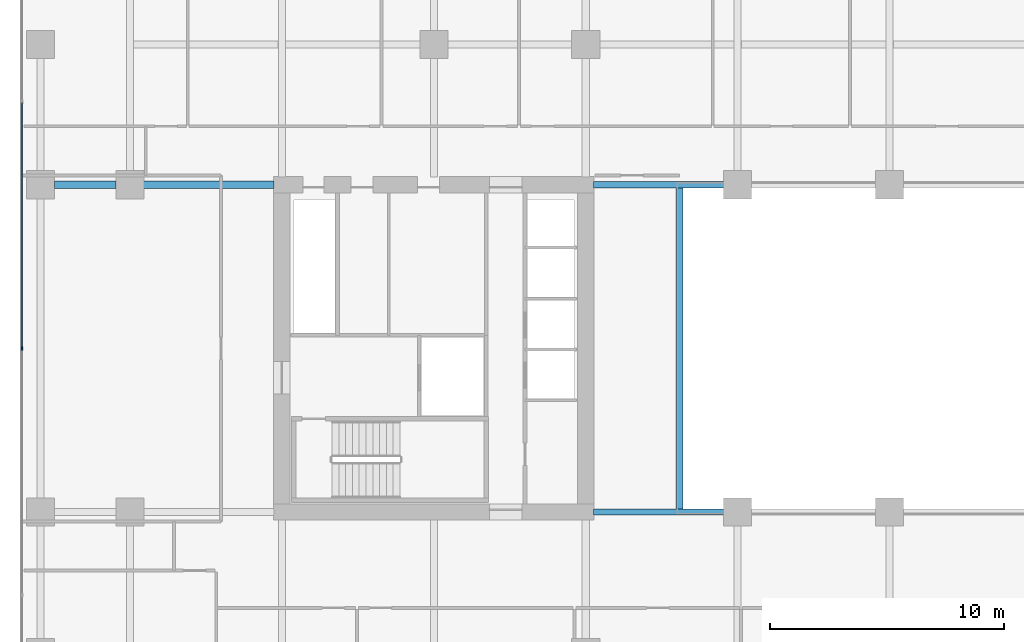
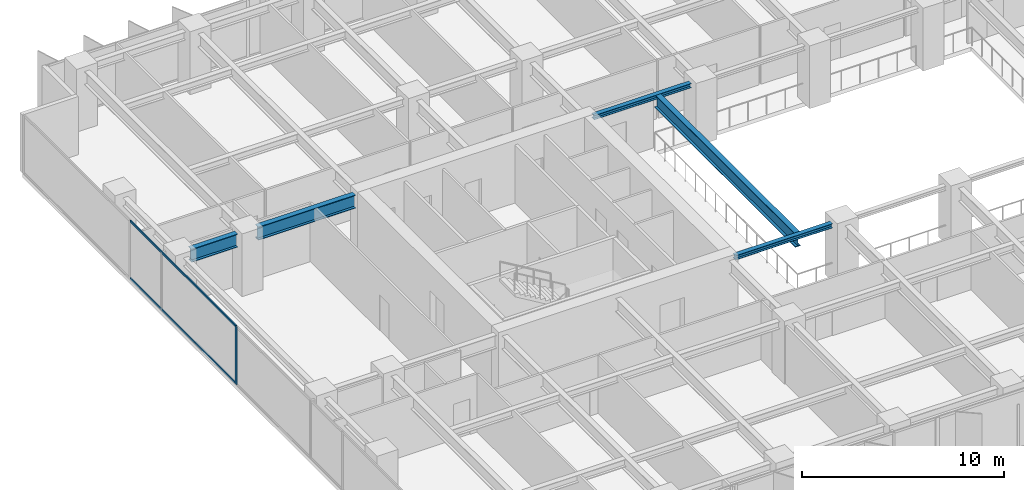
# One storey, part 4 of 20: 5 beams, 3 members, 1 element without a shape of its own.
"""IFC4 building model written with IfcOpenShell, lengths in metres."""

import ifcopenshell
import ifcopenshell.guid

model = None  # the IFC model being written
_history = None  # IfcOwnerHistory: only IFC2X3 demands one
_inside = {}  # id of a spatial element -> (the spatial element, [elements in it])
_under = {}  # id of a project, library or spatial element -> (it, [spatial elements below it])
_declared = {}  # id of a project -> (the project, [libraries it declares])
_typed = {}  # id of a type object -> (the type object, [elements of that type])
_made_of = {}  # id of a material, layer set ... -> (it, [elements and type objects made of it])


def new_model(schema):
    """Start an empty IFC model of exactly this schema.

    Asked for "IFC4X3", IfcOpenShell would pick the latest addendum, in which some entities
    have other attributes; the version numbers below select the first issue.
    IFC2X3 requires an IfcOwnerHistory on every rooted entity: one is made here for all.
    """
    global model, _history
    if schema == "IFC4X3":
        model = ifcopenshell.file(schema_version=(4, 3, 0, 0))
    else:
        model = ifcopenshell.file(schema=schema)
    _inside.clear()
    _under.clear()
    _declared.clear()
    _typed.clear()
    _made_of.clear()
    _history = None
    if model.schema == "IFC2X3":
        org = make("IfcOrganization", Name="unknown")
        user = make(
            "IfcPersonAndOrganization",
            ThePerson=make("IfcPerson", FamilyName="unknown"),
            TheOrganization=org,
        )
        app = make(
            "IfcApplication",
            ApplicationDeveloper=org,
            Version="unknown",
            ApplicationFullName="unknown",
            ApplicationIdentifier="unknown",
        )
        _history = make(
            "IfcOwnerHistory",
            OwningUser=user,
            OwningApplication=app,
            ChangeAction="ADDED",
            CreationDate=0,
        )
    return model


def make(cls, **values):
    """One entity of the class cls with the attributes given. An attribute that is None is left unset."""
    return model.create_entity(
        cls, **{name: value for name, value in values.items() if value is not None}
    )


def rooted(cls, **values):
    """An entity with a GlobalId (a new one), such as an element, a storey or a relation."""
    return make(cls, GlobalId=ifcopenshell.guid.new(), OwnerHistory=_history, **values)


def si_unit(unit_type, name, prefix=None):
    """IfcSIUnit, for example si_unit("LENGTHUNIT", "METRE", prefix="MILLI")."""
    return make("IfcSIUnit", UnitType=unit_type, Prefix=prefix, Name=name)


def assignment(units):
    """IfcUnitAssignment: the units of a project."""
    return None if units is None else make("IfcUnitAssignment", Units=units)


def point(xyz):
    """IfcCartesianPoint."""
    return None if xyz is None else make("IfcCartesianPoint", Coordinates=xyz)


def direction(xyz):
    """IfcDirection."""
    return None if xyz is None else make("IfcDirection", DirectionRatios=xyz)


def frame(location, z_axis=None, x_axis=None):
    """IfcAxis2Placement3D, a coordinate frame: its origin and axes. An axis left out is left unset."""
    return make(
        "IfcAxis2Placement3D",
        Location=point(location),
        Axis=direction(z_axis),
        RefDirection=direction(x_axis),
    )


def frame_2d(location, x_axis=None):
    """IfcAxis2Placement2D, a coordinate frame in the plane: its origin and x axis."""
    return make(
        "IfcAxis2Placement2D", Location=point(location), RefDirection=direction(x_axis)
    )


def origin():
    """The frame at (0, 0, 0) with its axes left unset."""
    return frame((0.0, 0.0, 0.0))


def origin_2d():
    """The frame at (0, 0) in the plane with its x axis left unset."""
    return frame_2d((0.0, 0.0))


def place(relative_to, where):
    """IfcLocalPlacement: puts the frame where relative to a parent placement (None: the world)."""
    return make(
        "IfcLocalPlacement", PlacementRelTo=relative_to, RelativePlacement=where
    )


def context(
    kind, dimensions, precision=None, world=None, true_north=None, identifier=None
):
    """IfcGeometricRepresentationContext, for example the 3D "Model" context."""
    return make(
        "IfcGeometricRepresentationContext",
        ContextIdentifier=identifier,
        ContextType=kind,
        CoordinateSpaceDimension=dimensions,
        Precision=precision,
        WorldCoordinateSystem=world,
        TrueNorth=true_north,
    )


def subcontext(parent, identifier, kind, view, scale=None):
    """IfcGeometricRepresentationSubContext, for example "Body" below "Model"."""
    return make(
        "IfcGeometricRepresentationSubContext",
        ContextIdentifier=identifier,
        ContextType=kind,
        ParentContext=parent,
        TargetScale=scale,
        TargetView=view,
    )


def project(units=None, contexts=None):
    """IfcProject with its units and contexts."""
    return rooted(
        "IfcProject",
        Name="project",
        RepresentationContexts=contexts,
        UnitsInContext=assignment(units),
    )


def spatial(cls, under=None, at=None, **own):
    """A site, building, storey or space (cls), placed at a placement, below another one or the project."""
    s = rooted(cls, ObjectPlacement=at, **own)
    if under is not None:
        _under.setdefault(under.id(), (under, []))[1].append(s)
    return s


def profile(cls, at=None, kind="AREA", **sizes):
    """A parametric profile (cls). Its sizes go by their IFC names, for example OverallWidth=200.0."""
    return make(cls, ProfileType=kind, Position=at, **sizes)


def rectangle(**sizes):
    """IfcRectangleProfileDef."""
    return profile("IfcRectangleProfileDef", **sizes)


def i_section(**sizes):
    """IfcIShapeProfileDef."""
    return profile("IfcIShapeProfileDef", **sizes)


def extrude(swept, where, along, depth):
    """IfcExtrudedAreaSolid: the profile swept, set in the frame where, extruded along a direction by depth."""
    return make(
        "IfcExtrudedAreaSolid",
        SweptArea=swept,
        Position=where,
        ExtrudedDirection=direction(along),
        Depth=depth,
    )


def shape(context_of_items, identifier, shape_type, items):
    """IfcShapeRepresentation: the items that make up one representation, for example the "Body"."""
    return make(
        "IfcShapeRepresentation",
        ContextOfItems=context_of_items,
        RepresentationIdentifier=identifier,
        RepresentationType=shape_type,
        Items=items,
    )


def material(Name=None, Category=None):
    """IfcMaterial."""
    return make("IfcMaterial", Name=Name, Category=Category)


def layer(
    of_material, thickness, ventilated=None, Name=None, Category=None, Priority=None
):
    """IfcMaterialLayer: one layer of a wall or slab, of a material (None: an air gap)."""
    return make(
        "IfcMaterialLayer",
        Material=of_material,
        LayerThickness=thickness,
        IsVentilated=ventilated,
        Name=Name,
        Category=Category,
        Priority=Priority,
    )


def layer_set(layers, Name=None):
    """IfcMaterialLayerSet."""
    return make("IfcMaterialLayerSet", MaterialLayers=layers, LayerSetName=Name)


def material_profile(
    of_material, cross_section, Name=None, Category=None, Priority=None
):
    """IfcMaterialProfile: a cross section and its material."""
    return make(
        "IfcMaterialProfile",
        Name=Name,
        Material=of_material,
        Profile=cross_section,
        Priority=Priority,
        Category=Category,
    )


def profile_set(profiles, Name=None, composite=None):
    """IfcMaterialProfileSet."""
    return make(
        "IfcMaterialProfileSet",
        Name=Name,
        MaterialProfiles=profiles,
        CompositeProfile=composite,
    )


def made_of(thing, what):
    """Note that an element or type object is made of a material, layer set ...; save() writes the relation."""
    if what is not None:
        _made_of.setdefault(what.id(), (what, []))[1].append(thing)
    return thing


def type_object(cls, material=None, **own):
    """A type object (cls), such as IfcWallType, which elements share."""
    return made_of(rooted(cls, **own), material)


def element(
    cls,
    number,
    at=None,
    inside=None,
    cuts=None,
    type_object=None,
    material=None,
    context=None,
    identifier="Body",
    shape_type=None,
    held_by="IfcProductDefinitionShape",
    body=None,
    shapes=None,
    **own,
):
    """One element of the class cls, such as IfcWall. Its Tag is "e" and its number.

    at: its placement. inside: the storey or other place that contains it. cuts: it is an
    opening in that element (IfcRelVoidsElement). A single representation is given by context,
    identifier, shape_type and body (its items); several are given by shapes. held_by: the class
    of the entity that holds the representations. save() writes the other relations.
    """
    e = rooted(cls, Tag="e%d" % number, ObjectPlacement=at, **own)
    if body is not None:
        shapes = [shape(context, identifier, shape_type, body)]
    if shapes is not None:
        e.Representation = make(held_by, Representations=shapes)
    if inside is not None:
        _inside.setdefault(inside.id(), (inside, []))[1].append(e)
    if cuts is not None:
        rooted(
            "IfcRelVoidsElement", RelatingBuildingElement=cuts, RelatedOpeningElement=e
        )
    if type_object is not None:
        _typed.setdefault(type_object.id(), (type_object, []))[1].append(e)
    return made_of(e, material)


def aggregate(whole, parts):
    """IfcRelAggregates: a whole, such as a stair, and the parts it consists of."""
    return rooted("IfcRelAggregates", RelatingObject=whole, RelatedObjects=parts)


def save(model, path):
    """Write the relations noted so far, then the file.

    IfcRelAggregates (storeys below a building ...), IfcRelContainedInSpatialStructure (elements
    in a storey), IfcRelDefinesByType, IfcRelAssociatesMaterial and IfcRelDeclares: one each for
    every whole, place, type object, material and project.
    """
    for whole, parts in _under.values():
        aggregate(whole, parts)
    for where, things in _inside.values():
        rooted(
            "IfcRelContainedInSpatialStructure",
            RelatedElements=things,
            RelatingStructure=where,
        )
    for kind, things in _typed.values():
        rooted("IfcRelDefinesByType", RelatedObjects=things, RelatingType=kind)
    for what, things in _made_of.values():
        rooted("IfcRelAssociatesMaterial", RelatedObjects=things, RelatingMaterial=what)
    for by, libraries in _declared.values():
        rooted("IfcRelDeclares", RelatingContext=by, RelatedDefinitions=libraries)
    model.write(path)


model = new_model("IFC4")

# Units and contexts
model_context = context("Model", 3, precision=1e-05, world=origin(), true_north=direction((0.0, 1.0)))
body_context = subcontext(model_context, "Body", "Model", "MODEL_VIEW")
ifc_project = project(units=[si_unit("LENGTHUNIT", "METRE"), si_unit("AREAUNIT", "SQUARE_METRE"), si_unit("VOLUMEUNIT", "CUBIC_METRE"), si_unit("PLANEANGLEUNIT", "RADIAN"), si_unit("MASSUNIT", "GRAM", prefix="KILO")], contexts=[model_context])

# Site, building, storey
site_placement = place(None, origin())
site = spatial("IfcSite", under=ifc_project, at=site_placement, CompositionType="ELEMENT")
building_placement = place(site_placement, origin())
building = spatial("IfcBuilding", under=site, at=building_placement, Name="Putna Gate Headquarters", CompositionType="ELEMENT")
storey_placement = place(building_placement, frame((0.0, 0.0, 135.39990234375)))
storey = spatial("IfcBuildingStorey", under=building, at=storey_placement, Name="L33", CompositionType="ELEMENT", Elevation=135.39990234375)

# Beams
ifc_material_1 = material(Name="Steel S355J2", Category="steel")
ifc_material_profile_1 = material_profile(ifc_material_1, i_section(OverallWidth=0.260009765625, OverallDepth=0.260009765625, WebThickness=0.010009765625, FlangeThickness=0.017578125, at=origin_2d()), Name="Steel S355J2")
ifc_profile_set_1 = profile_set([ifc_material_profile_1], Name="Steel S355J2")
beam_type_1 = type_object("IfcBeamType", Name="BM-ATRIUM-HEB260", PredefinedType="BEAM", material=ifc_profile_set_1)
for number, where, z_axis, x_axis, name in (
    (1, (26.3349609375, 19.0, 3.39013671875), (1.0, 0.0, 0.0), (0.0, 1.0, 0.0), "L33 Atrium Edge Beam AS1"),
    (2, (26.3349609375, 33.0, 3.39013671875), (1.0, 0.0, 0.0), (0.0, 1.0, 0.0), "L33 Atrium Edge Beam AN1"),
):
    element("IfcBeam", number, at=place(storey_placement, frame(where, z_axis=z_axis, x_axis=x_axis)), inside=storey, type_object=beam_type_1, Name=name, PredefinedType="BEAM", context=body_context, shape_type="SweptSolid", body=[
        extrude(i_section(OverallWidth=0.260009765625, OverallDepth=0.260009765625, WebThickness=0.010009765625, FlangeThickness=0.017578125, at=origin_2d()), origin(), (0.0, 0.0, 1.0), 5.5771484375),
    ])
ifc_material_profile_2 = material_profile(ifc_material_1, i_section(OverallWidth=0.300048828125, OverallDepth=0.800048828125, WebThickness=0.017578125, FlangeThickness=0.032958984375, at=origin_2d()), Name="Steel S355J2")
ifc_profile_set_2 = profile_set([ifc_material_profile_2], Name="Steel S355J2")
beam_type_2 = type_object("IfcBeamType", Name="BM-GIRD-P-HEB800", PredefinedType="USERDEFINED", material=ifc_profile_set_2)
beam_1_placement = place(storey_placement, frame((3.26806640625, 33.0, 3.1201171875), z_axis=(1.0, 0.0, 0.0), x_axis=(0.0, 1.0, 0.0)))
element("IfcBeam", 3, at=beam_1_placement, inside=storey, type_object=beam_type_2, Name="L33 West Wing Girder Y33-1", ObjectType="GIRDER", PredefinedType="USERDEFINED", context=body_context, shape_type="SweptSolid", body=[
    extrude(i_section(OverallWidth=0.300048828125, OverallDepth=0.800048828125, WebThickness=0.017578125, FlangeThickness=0.032958984375, at=origin_2d()), origin(), (0.0, 0.0, 1.0), 2.64404296875),
])
beam_2_placement = place(storey_placement, frame((7.087890625, 33.0, 3.1201171875), z_axis=(1.0, 0.0, 0.0), x_axis=(0.0, 1.0, 0.0)))
element("IfcBeam", 4, at=beam_2_placement, inside=storey, type_object=beam_type_2, Name="L33 West Wing Girder Y33-2", ObjectType="GIRDER", PredefinedType="USERDEFINED", context=body_context, shape_type="SweptSolid", body=[
    extrude(i_section(OverallWidth=0.300048828125, OverallDepth=0.800048828125, WebThickness=0.017578125, FlangeThickness=0.032958984375, at=origin_2d()), origin(), (0.0, 0.0, 1.0), 5.5771484375),
])
beam_3_placement = place(storey_placement, frame((30.0, 19.010009765625, 3.1201171875), z_axis=(0.0, 1.0, 0.0), x_axis=(-1.0, 0.0, 0.0)))
element("IfcBeam", 5, at=beam_3_placement, inside=storey, type_object=beam_type_2, Name="L33 Atrium Trim Girder AW", ObjectType="GIRDER", PredefinedType="USERDEFINED", context=body_context, shape_type="SweptSolid", body=[
    extrude(i_section(OverallWidth=0.300048828125, OverallDepth=0.800048828125, WebThickness=0.017578125, FlangeThickness=0.032958984375, at=origin_2d()), origin(), (0.0, 0.0, 1.0), 13.97998046875),
])

# Curtain wall, members
ifc_material_2 = material(Name="Anodised bronze aluminium curtain wall", Category="aluminium")
ifc_layer = layer(ifc_material_2, 0.159912109375)
ifc_layer_set = layer_set([ifc_layer], Name="Anodised bronze aluminium curtain wall")
curtain_wall_type = type_object("IfcCurtainWallType", Name="CW-SYS-Z2", PredefinedType="USERDEFINED", material=ifc_layer_set)
curtain_wall_placement = place(storey_placement, origin())
curtain_wall = element("IfcCurtainWall", 6, at=curtain_wall_placement, inside=storey, type_object=curtain_wall_type, Name="L33 West Curtain Wall", ObjectType="STICK CURTAIN WALL", PredefinedType="USERDEFINED")
ifc_material_3 = material(Name="Anodised bronze aluminium EN AW-6060", Category="aluminium")
ifc_material_profile_3 = material_profile(ifc_material_3, rectangle(XDim=0.06494140625, YDim=0.159912109375, at=origin_2d()), Name="Anodised bronze aluminium EN AW-6060")
ifc_profile_set_3 = profile_set([ifc_material_profile_3], Name="Anodised bronze aluminium EN AW-6060")
member_type_1 = type_object("IfcMemberType", Name="MULL-CWM-2", PredefinedType="MULLION", material=ifc_profile_set_3)
member_1_placement = place(storey_placement, frame((1.8798828125, 26.0, 0.0), z_axis=(0.0, 0.0, 1.0), x_axis=(-1.0, 0.0, 0.0)))
member_1 = element("IfcMember", 7, at=member_1_placement, type_object=member_type_1, Name="CWS-2 mullion 3", PredefinedType="MULLION", context=body_context, shape_type="SweptSolid", body=[
    extrude(rectangle(XDim=0.06494140625, YDim=0.159912109375, at=origin_2d()), origin(), (0.0, 0.0, 1.0), 3.52001953125),
])
ifc_material_profile_4 = material_profile(ifc_material_3, rectangle(XDim=0.06494140625, YDim=0.1201171875, at=origin_2d()), Name="Anodised bronze aluminium EN AW-6060")
ifc_profile_set_4 = profile_set([ifc_material_profile_4], Name="Anodised bronze aluminium EN AW-6060")
member_type_2 = type_object("IfcMemberType", Name="TRAN-CWT-2", PredefinedType="USERDEFINED", material=ifc_profile_set_4)
member_2_placement = place(storey_placement, frame((1.8798828125, 26.032470703125, 0.03271484375), z_axis=(0.0, 1.0, 0.0), x_axis=(-1.0, 0.0, 0.0)))
member_2 = element("IfcMember", 8, at=member_2_placement, type_object=member_type_2, Name="CWS-2 transom 3.1", ObjectType="TRANSOM", PredefinedType="USERDEFINED", context=body_context, shape_type="SweptSolid", body=[
    extrude(rectangle(XDim=0.06494140625, YDim=0.1201171875, at=origin_2d()), origin(), (0.0, 0.0, 1.0), 10.485107421875),
])
member_3_placement = place(storey_placement, frame((1.8798828125, 26.032470703125, 3.487548828125), z_axis=(0.0, 1.0, 0.0), x_axis=(-1.0, 0.0, 0.0)))
member_3 = element("IfcMember", 9, at=member_3_placement, type_object=member_type_2, Name="CWS-2 transom 3.2", ObjectType="TRANSOM", PredefinedType="USERDEFINED", context=body_context, shape_type="SweptSolid", body=[
    extrude(rectangle(XDim=0.06494140625, YDim=0.1201171875, at=origin_2d()), origin(), (0.0, 0.0, 1.0), 10.485107421875),
])
aggregate(curtain_wall, [member_1, member_2, member_3])

save(model, "model.ifc")
